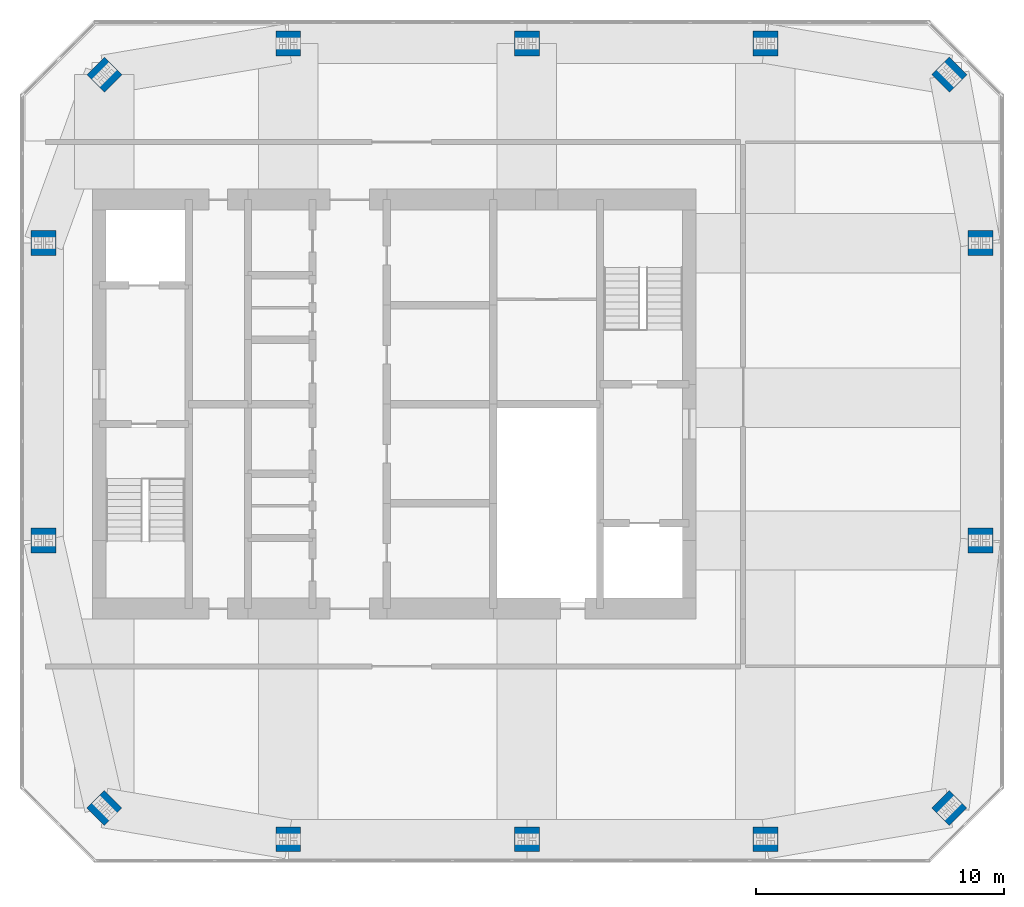
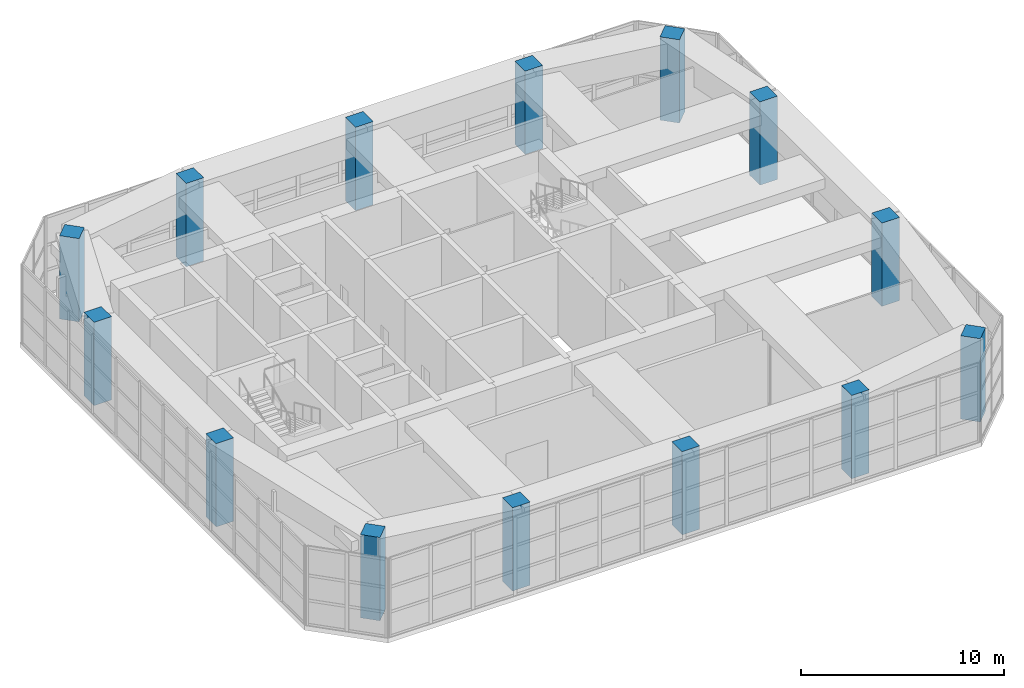
# One storey, part 1 of 14: 14 columns.
"""IFC4 building model written with IfcOpenShell, lengths in metres."""

from ifc_helpers import new_model, si_unit, direction, frame, origin, origin_2d, place, context, subcontext, project, spatial, rectangle, extrude, material, material_profile, profile_set, type_object, element, save


model = new_model("IFC4")

# Units and contexts
model_context = context("Model", 3, precision=1e-05, world=origin(), true_north=direction((0.0, 1.0)))
body_context = subcontext(model_context, "Body", "Model", "MODEL_VIEW")
ifc_project = project(units=[si_unit("LENGTHUNIT", "METRE"), si_unit("AREAUNIT", "SQUARE_METRE"), si_unit("VOLUMEUNIT", "CUBIC_METRE"), si_unit("PLANEANGLEUNIT", "RADIAN"), si_unit("MASSUNIT", "GRAM", prefix="KILO")], contexts=[model_context])

# Site, building, storey
site_placement = place(None, origin())
site = spatial("IfcSite", under=ifc_project, at=site_placement, CompositionType="ELEMENT")
building_placement = place(site_placement, origin())
building = spatial("IfcBuilding", under=site, at=building_placement, Name="Jalousie Tower", CompositionType="ELEMENT")
storey_placement = place(building_placement, frame((0.0, 0.0, 272.75)))
storey = spatial("IfcBuildingStorey", under=building, at=storey_placement, Name="L74", CompositionType="ELEMENT", Elevation=272.75)

# Columns
ifc_material = material(Name="Concrete f'c 120 MPa", Category="concrete")
ifc_material_profile = material_profile(ifc_material, rectangle(XDim=1.0, YDim=1.0, at=origin_2d()), Name="RC 1000x1000")
ifc_profile_set = profile_set([ifc_material_profile], Name="Concrete f'c 120 MPa")
column_type = type_object("IfcColumnType", Name="RC COLUMN 1000x1000", PredefinedType="COLUMN", material=ifc_profile_set)
for number, where, z_axis, x_axis, name in (
    (1, (20.20703125, 2.20703125, 0.0), (0.0, 0.0, 1.0), (0.707106781187, 0.707106781187, 0.0), "Column 01 L74"),
    (2, (27.625, 0.949951171875, 0.0), (0.0, 0.0, 1.0), (1.0, 0.0, 0.0), "Column 02 L74"),
    (3, (37.25, 0.949951171875, 0.0), (0.0, 0.0, 1.0), (1.0, 0.0, 0.0), "Column 03 L74"),
    (4, (46.875, 0.949951171875, 0.0), (0.0, 0.0, 1.0), (1.0, 0.0, 0.0), "Column 04 L74"),
    (5, (54.29296875, 2.20703125, 0.0), (0.0, 0.0, 1.0), (0.707106781187, 0.707106781187, 0.0), "Column 05 L74"),
    (6, (55.550048828125, 13.0, 0.0), (0.0, 0.0, 1.0), (1.0, 0.0, 0.0), "Column 06 L74"),
    (7, (55.550048828125, 25.0, 0.0), (0.0, 0.0, 1.0), (1.0, 0.0, 0.0), "Column 07 L74"),
    (8, (54.29296875, 31.79296875, 0.0), (0.0, 0.0, 1.0), (0.707106781187, 0.707106781187, 0.0), "Column 08 L74"),
    (9, (46.875, 33.050048828125, 0.0), (0.0, 0.0, 1.0), (1.0, 0.0, 0.0), "Column 09 L74"),
    (10, (37.25, 33.050048828125, 0.0), (0.0, 0.0, 1.0), (1.0, 0.0, 0.0), "Column 10 L74"),
    (11, (27.625, 33.050048828125, 0.0), (0.0, 0.0, 1.0), (1.0, 0.0, 0.0), "Column 11 L74"),
    (12, (20.20703125, 31.79296875, 0.0), (0.0, 0.0, 1.0), (0.707106781187, 0.707106781187, 0.0), "Column 12 L74"),
    (13, (17.75, 25.0, 0.0), (0.0, 0.0, 1.0), (1.0, 0.0, 0.0), "Column 13 L74"),
    (14, (17.75, 13.0, 0.0), (0.0, 0.0, 1.0), (1.0, 0.0, 0.0), "Column 14 L74"),
):
    element("IfcColumn", number, at=place(storey_placement, frame(where, z_axis=z_axis, x_axis=x_axis)), inside=storey, type_object=column_type, Name=name, PredefinedType="COLUMN", context=body_context, shape_type="SweptSolid", body=[
        extrude(rectangle(XDim=1.0, YDim=1.0, at=origin_2d()), origin(), (0.0, 0.0, 1.0), 5.0),
    ])

save(model, "model.ifc")
